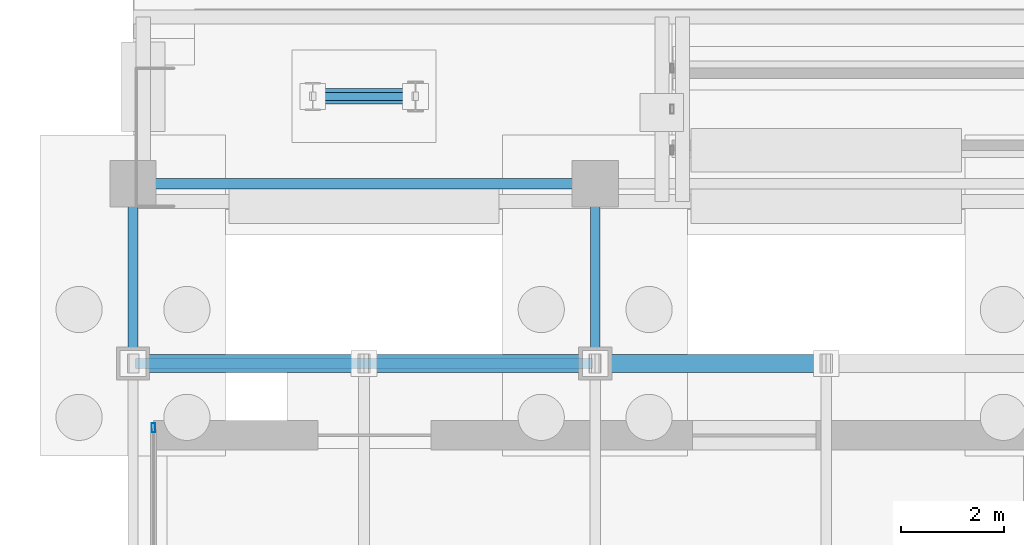
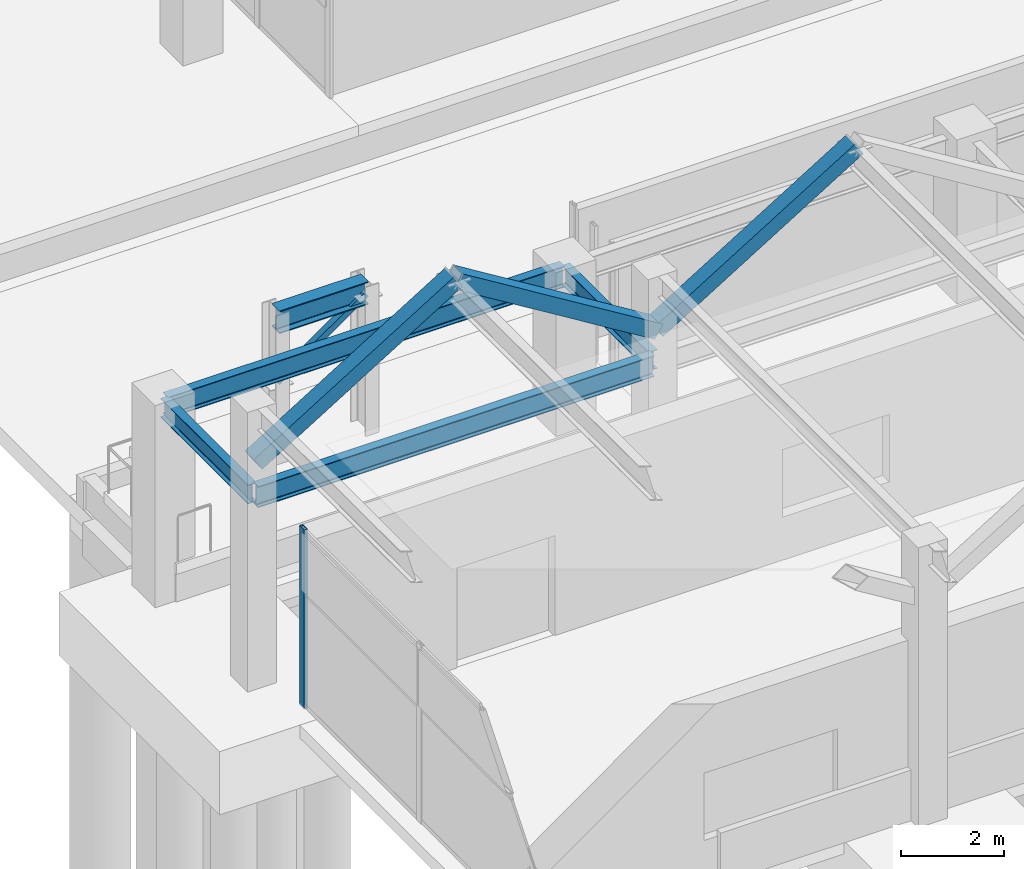
# One storey, part 55 of 160: 5 beams, 5 members, 1 element without a shape of its own.
"""IFC4 building model written with IfcOpenShell, lengths in metres."""

from ifc_helpers import new_model, si_unit, direction, frame, origin, origin_2d, place, context, subcontext, project, spatial, hollow_rectangle, i_section, extrude, material, layer, layer_set, material_profile, profile_set, type_object, element, aggregate, save


model = new_model("IFC4")

# Units and contexts
model_context = context("Model", 3, precision=1e-05, world=origin(), true_north=direction((0.0, 1.0)))
body_context = subcontext(model_context, "Body", "Model", "MODEL_VIEW")
ifc_project = project(units=[si_unit("LENGTHUNIT", "METRE"), si_unit("AREAUNIT", "SQUARE_METRE"), si_unit("VOLUMEUNIT", "CUBIC_METRE"), si_unit("PLANEANGLEUNIT", "RADIAN"), si_unit("MASSUNIT", "GRAM", prefix="KILO")], contexts=[model_context])

# Site, building, storey
site_placement = place(None, origin())
site = spatial("IfcSite", under=ifc_project, at=site_placement, CompositionType="ELEMENT")
building_placement = place(site_placement, origin())
building = spatial("IfcBuilding", under=site, at=building_placement, Name="Marlcrest Central Station", CompositionType="ELEMENT")
storey_placement = place(building_placement, origin())
storey = spatial("IfcBuildingStorey", under=building, at=storey_placement, Name="L00", CompositionType="ELEMENT", Elevation=0.0)

# Member
ifc_material_1 = material(Name="Steel S355", Category="steel")
ifc_material_profile_1 = material_profile(ifc_material_1, hollow_rectangle(XDim=0.14990234375, YDim=0.14990234375, WallThickness=0.008056640625, at=origin_2d()), Name="SHS 150x150x8")
ifc_profile_set_1 = profile_set([ifc_material_profile_1], Name="Steel S355")
member_type_1 = type_object("IfcMemberType", Name="BF-05", PredefinedType="BRACE", material=ifc_profile_set_1)
member_1_placement = place(storey_placement, frame((3.5, 38.199951171875, 2.699951171875), z_axis=(0.819203731481, 0.0, 0.57350261231), x_axis=(0.0, 1.0, 0.0)))
element("IfcMember", 1, at=member_1_placement, inside=storey, type_object=member_type_1, Name="mem-BF-05-L00-02548", PredefinedType="BRACE", context=body_context, shape_type="SweptSolid", body=[
    extrude(hollow_rectangle(XDim=0.14990234375, YDim=0.14990234375, WallThickness=0.008056640625, at=origin_2d()), origin(), (0.0, 0.0, 1.0), 2.44140625),
])

# Beams
ifc_material_profile_2 = material_profile(ifc_material_1, i_section(OverallWidth=0.18994140625, OverallDepth=0.449951171875, WebThickness=0.009521484375, FlangeThickness=0.0146484375, FilletRadius=0.02099609375, at=origin_2d()), Name="IPE 450")
ifc_profile_set_2 = profile_set([ifc_material_profile_2], Name="Steel S355")
beam_type_1 = type_object("IfcBeamType", Name="BM-04", PredefinedType="BEAM", material=ifc_profile_set_2)
for number, where, z_axis, x_axis, name in (
    (2, (0.0, 33.050048828125, 4.385009765625), (0.0, 1.0, 0.0), (-1.0, 0.0, 0.0), "bm-BM-04-L00-01053"),
    (3, (9.0, 33.050048828125, 4.385009765625), (0.0, 1.0, 0.0), (-1.0, 0.0, 0.0), "bm-BM-04-L00-01058"),
):
    element("IfcBeam", number, at=place(storey_placement, frame(where, z_axis=z_axis, x_axis=x_axis)), inside=storey, type_object=beam_type_1, Name=name, PredefinedType="BEAM", context=body_context, shape_type="SweptSolid", body=[
        extrude(i_section(OverallWidth=0.18994140625, OverallDepth=0.449951171875, WebThickness=0.009521484375, FlangeThickness=0.0146484375, FilletRadius=0.02099609375, at=origin_2d()), origin(), (0.0, 0.0, 1.0), 3.39990234375),
    ])
ifc_material_profile_3 = material_profile(ifc_material_1, i_section(OverallWidth=0.199951171875, OverallDepth=0.5, WebThickness=0.01025390625, FlangeThickness=0.01611328125, FilletRadius=0.02099609375, at=origin_2d()), Name="IPE 500")
ifc_profile_set_3 = profile_set([ifc_material_profile_3], Name="Steel S355")
beam_type_2 = type_object("IfcBeamType", Name="BM-05", PredefinedType="BEAM", material=ifc_profile_set_3)
for number, where, z_axis, x_axis, name in (
    (4, (0.050048828125, 33.0, 4.360107421875), (1.0, 0.0, 0.0), (0.0, 1.0, 0.0), "bm-BM-05-L00-01055"),
    (5, (0.050048828125, 36.5, 4.360107421875), (1.0, 0.0, 0.0), (0.0, 1.0, 0.0), "bm-BM-05-L00-01056"),
):
    element("IfcBeam", number, at=place(storey_placement, frame(where, z_axis=z_axis, x_axis=x_axis)), inside=storey, type_object=beam_type_2, Name=name, PredefinedType="BEAM", context=body_context, shape_type="SweptSolid", body=[
        extrude(i_section(OverallWidth=0.199951171875, OverallDepth=0.5, WebThickness=0.01025390625, FlangeThickness=0.01611328125, FilletRadius=0.02099609375, at=origin_2d()), origin(), (0.0, 0.0, 1.0), 8.89990234375),
    ])
ifc_material_profile_4 = material_profile(ifc_material_1, i_section(OverallWidth=0.300048828125, OverallDepth=0.5400390625, WebThickness=0.012451171875, FlangeThickness=0.02392578125, FilletRadius=0.027099609375, at=origin_2d()), Name="HEA 550")
ifc_profile_set_4 = profile_set([ifc_material_profile_4], Name="Steel S355")
beam_type_3 = type_object("IfcBeamType", Name="BM-13", PredefinedType="BEAM", material=ifc_profile_set_4)
beam_placement = place(storey_placement, frame((3.5, 38.199951171875, 4.179931640625), z_axis=(1.0, 0.0, 0.0), x_axis=(0.0, 1.0, 0.0)))
element("IfcBeam", 6, at=beam_placement, inside=storey, type_object=beam_type_3, Name="bm-BM-13-L00-01552", PredefinedType="BEAM", context=body_context, shape_type="SweptSolid", body=[
    extrude(i_section(OverallWidth=0.300048828125, OverallDepth=0.5400390625, WebThickness=0.012451171875, FlangeThickness=0.02392578125, FilletRadius=0.027099609375, at=origin_2d()), origin(), (0.0, 0.0, 1.0), 2.0),
])

# Curtain wall, member
ifc_material_2 = material(Name="Anodised aluminium and hurricane laminated glass", Category="aluminium")
ifc_layer = layer(ifc_material_2, 0.179931640625, Name="CW-S1")
ifc_layer_set = layer_set([ifc_layer], Name="Anodised aluminium and hurricane laminated glass")
curtain_wall_type = type_object("IfcCurtainWallType", Name="CW-S1", PredefinedType="USERDEFINED", material=ifc_layer_set)
curtain_wall_placement = place(storey_placement, origin())
curtain_wall = element("IfcCurtainWall", 7, at=curtain_wall_placement, inside=storey, type_object=curtain_wall_type, Name="cw-L00-0143", ObjectType="STICK_CURTAIN_WALL", PredefinedType="USERDEFINED")
ifc_material_3 = material(Name="Anodised aluminium 6063-T6", Category="aluminium")
ifc_material_profile_5 = material_profile(ifc_material_3, hollow_rectangle(XDim=0.070068359375, YDim=0.179931640625, WallThickness=0.0048828125, at=origin_2d()), Name="AA-RHS 180x70x5")
ifc_profile_set_5 = profile_set([ifc_material_profile_5], Name="Anodised aluminium 6063-T6")
member_type_2 = type_object("IfcMemberType", Name="ML-02", PredefinedType="MULLION", material=ifc_profile_set_5)
member_2_placement = place(storey_placement, frame((0.39990234375, 31.75, -0.030029296875), z_axis=(0.0, 0.0, 1.0), x_axis=(1.0, 0.0, 0.0)))
member_2 = element("IfcMember", 8, at=member_2_placement, type_object=member_type_2, Name="cw-L00-0143-ml-2", PredefinedType="MULLION", context=body_context, shape_type="SweptSolid", body=[
    extrude(hollow_rectangle(XDim=0.070068359375, YDim=0.179931640625, WallThickness=0.0048828125, at=origin_2d()), origin(), (0.0, 0.0, 1.0), 4.260009765625),
])
aggregate(curtain_wall, [member_2])

# Members
ifc_material_profile_6 = material_profile(ifc_material_1, hollow_rectangle(XDim=0.35009765625, YDim=0.35009765625, WallThickness=0.01611328125, at=origin_2d()), Name="SHS 350x350x16")
ifc_profile_set_6 = profile_set([ifc_material_profile_6], Name="Steel S355")
member_type_3 = type_object("IfcMemberType", Name="ST-02", PredefinedType="STRUT", material=ifc_profile_set_6)
for number, where, z_axis, x_axis, name in (
    (9, (0.0, 33.0, 5.199951171875), (0.851591684043, 0.0, 0.524205688322), (0.0, 1.0, 0.0), "mem-ST-02-L00-00023"),
    (10, (9.0, 33.0, 5.199951171875), (-0.851591684043, 0.0, 0.524205688322), (0.0, -1.0, 0.0), "mem-ST-02-L00-00024"),
    (11, (9.0, 33.0, 5.199951171875), (0.851591684043, 0.0, 0.524205688322), (0.0, 1.0, 0.0), "mem-ST-02-L00-00029"),
):
    element("IfcMember", number, at=place(storey_placement, frame(where, z_axis=z_axis, x_axis=x_axis)), inside=storey, type_object=member_type_3, Name=name, PredefinedType="STRUT", context=body_context, shape_type="SweptSolid", body=[
        extrude(hollow_rectangle(XDim=0.35009765625, YDim=0.35009765625, WallThickness=0.01611328125, at=origin_2d()), origin(), (0.0, 0.0, 1.0), 5.2841796875),
    ])

save(model, "model.ifc")
